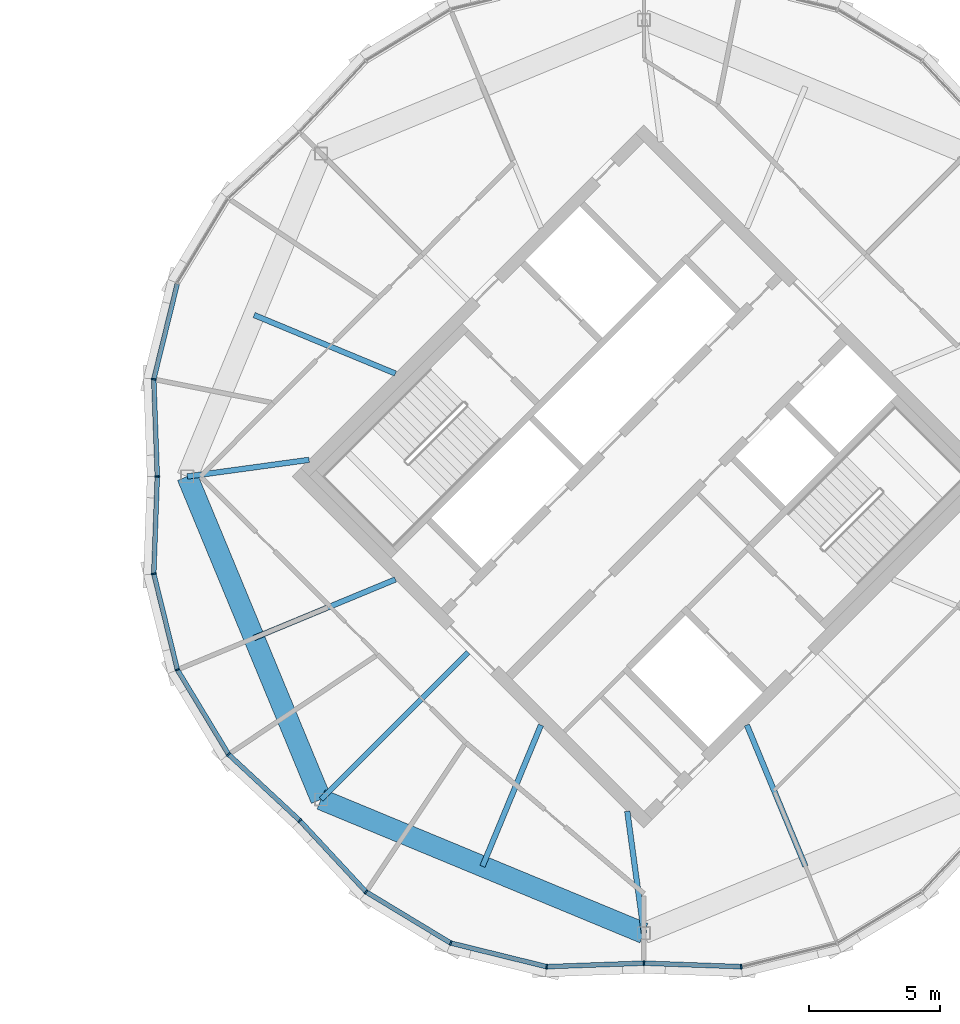
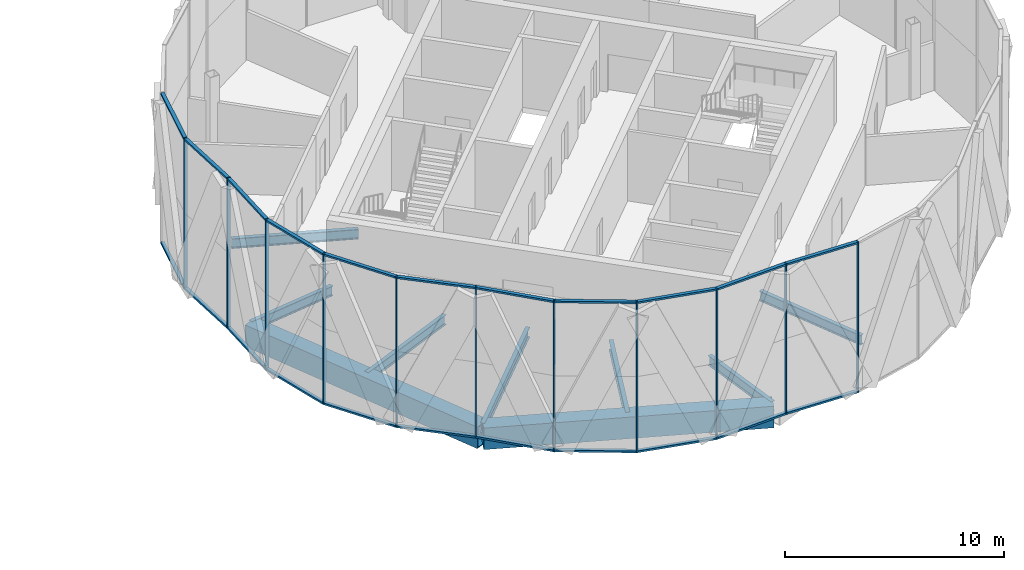
# One storey, part 9 of 24: 33 members, 9 beams, 4 elements without a shape of their own.
"""IFC4 building model written with IfcOpenShell, lengths in metres."""

from ifc_helpers import new_model, si_unit, direction, frame, origin, origin_2d, place, context, subcontext, project, spatial, rectangle, hollow_rectangle, i_section, extrude, material, material_profile, profile_set, type_object, element, aggregate, save


model = new_model("IFC4")

# Units and contexts
model_context = context("Model", 3, precision=1e-05, world=origin(), true_north=direction((0.0, 1.0)))
body_context = subcontext(model_context, "Body", "Model", "MODEL_VIEW")
ifc_project = project(units=[si_unit("LENGTHUNIT", "METRE"), si_unit("AREAUNIT", "SQUARE_METRE"), si_unit("VOLUMEUNIT", "CUBIC_METRE"), si_unit("PLANEANGLEUNIT", "RADIAN"), si_unit("MASSUNIT", "GRAM", prefix="KILO")], contexts=[model_context])

# Site, building, storey
site_placement = place(None, origin())
site = spatial("IfcSite", under=ifc_project, at=site_placement, CompositionType="ELEMENT")
building_placement = place(site_placement, origin())
building = spatial("IfcBuilding", under=site, at=building_placement, Name="Ogive Gate Towers", CompositionType="ELEMENT")
storey_placement = place(building_placement, frame((0.0, 0.0, 277.199951171875)))
storey = spatial("IfcBuildingStorey", under=building, at=storey_placement, Name="L65", CompositionType="ELEMENT", Elevation=277.199951171875)

# Beams
ifc_material_1 = material(Name="Steel SM460", Category="steel")
ifc_material_profile_1 = material_profile(ifc_material_1, hollow_rectangle(XDim=0.800048828125, YDim=1.199951171875, WallThickness=0.050048828125, at=origin_2d()), Name="BX 1200x800x50")
ifc_profile_set_1 = profile_set([ifc_material_profile_1], Name="Steel SM460")
beam_type_1 = type_object("IfcBeamType", Name="Edge girder BX 1200x800x50", PredefinedType="BEAM", material=ifc_profile_set_1)
for number, where, z_axis, x_axis, name in (
    (1, (23.657470703125, -12.342529296875, -0.89990234375), (0.923876732551, -0.382690191996, 0.0), (0.382690191996, 0.923876732551, 0.0), "T2/L65/SBM017"),
    (2, (18.544921875, 0.0, -0.89990234375), (0.382690191996, -0.923876732551, 0.0), (0.923876732551, 0.382690191996, 0.0), "T2/L65/SBM024"),
):
    element("IfcBeam", number, at=place(storey_placement, frame(where, z_axis=z_axis, x_axis=x_axis)), inside=storey, type_object=beam_type_1, Name=name, PredefinedType="BEAM", context=body_context, shape_type="SweptSolid", body=[
        extrude(hollow_rectangle(XDim=0.800048828125, YDim=1.199951171875, WallThickness=0.050048828125, at=origin_2d()), origin(), (0.0, 0.0, 1.0), 13.359619140625),
    ])
ifc_material_2 = material(Name="Steel SM355", Category="steel")
ifc_material_profile_2 = material_profile(ifc_material_2, i_section(OverallWidth=0.2099609375, OverallDepth=0.550048828125, WebThickness=0.010986328125, FlangeThickness=0.01708984375, FilletRadius=0.02392578125, at=origin_2d()), Name="IPE 550")
ifc_profile_set_2 = profile_set([ifc_material_profile_2], Name="Steel SM355")
beam_type_2 = type_object("IfcBeamType", Name="Radial floor beam IPE 550", PredefinedType="BEAM", material=ifc_profile_set_2)
beam_1_placement = place(storey_placement, frame((29.282470703125, -6.717529296875, -0.574951171875), z_axis=(-0.707106781187, -0.707106781187, 0.0), x_axis=(0.707106781187, -0.707106781187, 0.0)))
element("IfcBeam", 3, at=beam_1_placement, inside=storey, type_object=beam_type_2, Name="T2/L65/SBM001", PredefinedType="BEAM", context=body_context, shape_type="SweptSolid", body=[
    extrude(i_section(OverallWidth=0.2099609375, OverallDepth=0.550048828125, WebThickness=0.010986328125, FlangeThickness=0.01708984375, FilletRadius=0.02392578125, at=origin_2d()), origin(), (0.0, 0.0, 1.0), 7.954833984375),
])
beam_2_placement = place(storey_placement, frame((32.06494140625, -9.5, -0.574951171875), z_axis=(-0.382701102209, -0.923872213225, 0.0), x_axis=(0.923872213225, -0.382701102209, 0.0)))
element("IfcBeam", 4, at=beam_2_placement, inside=storey, type_object=beam_type_2, Name="T2/L65/SBM002", PredefinedType="BEAM", context=body_context, shape_type="SweptSolid", body=[
    extrude(i_section(OverallWidth=0.2099609375, OverallDepth=0.550048828125, WebThickness=0.010986328125, FlangeThickness=0.01708984375, FilletRadius=0.02392578125, at=origin_2d()), origin(), (0.0, 0.0, 1.0), 5.843505859375),
])
beam_3_placement = place(storey_placement, frame((35.363525390625, -12.798583984375, -0.574951171875), z_axis=(0.135426145155, -0.99078744401, 0.0), x_axis=(0.99078744401, 0.135426145155, 0.0)))
element("IfcBeam", 5, at=beam_3_placement, inside=storey, type_object=beam_type_2, Name="T2/L65/SBM003", PredefinedType="BEAM", context=body_context, shape_type="SweptSolid", body=[
    extrude(i_section(OverallWidth=0.2099609375, OverallDepth=0.550048828125, WebThickness=0.010986328125, FlangeThickness=0.01708984375, FilletRadius=0.02392578125, at=origin_2d()), origin(), (0.0, 0.0, 1.0), 4.69970703125),
])
for number, where, z_axis, x_axis, name in (
    (6, (39.93505859375, -9.5, -0.574951171875), (0.382701102209, -0.923872213225, 0.0), (0.923872213225, 0.382701102209, 0.0), "T2/L65/SBM004"),
    (7, (26.5, 3.93505859375, -0.574951171875), (-0.923872213225, 0.382701102209, 0.0), (-0.382701102209, -0.923872213225, 0.0), "T2/L65/SBM014"),
):
    element("IfcBeam", number, at=place(storey_placement, frame(where, z_axis=z_axis, x_axis=x_axis)), inside=storey, type_object=beam_type_2, Name=name, PredefinedType="BEAM", context=body_context, shape_type="SweptSolid", body=[
        extrude(i_section(OverallWidth=0.2099609375, OverallDepth=0.550048828125, WebThickness=0.010986328125, FlangeThickness=0.01708984375, FilletRadius=0.02392578125, at=origin_2d()), origin(), (0.0, 0.0, 1.0), 5.843505859375),
    ])
beam_4_placement = place(storey_placement, frame((23.201416015625, 0.636474609375, -0.574951171875), z_axis=(-0.99078744401, -0.135426145155, 0.0), x_axis=(0.135426145155, -0.99078744401, 0.0)))
element("IfcBeam", 8, at=beam_4_placement, inside=storey, type_object=beam_type_2, Name="T2/L65/SBM015", PredefinedType="BEAM", context=body_context, shape_type="SweptSolid", body=[
    extrude(i_section(OverallWidth=0.2099609375, OverallDepth=0.550048828125, WebThickness=0.010986328125, FlangeThickness=0.01708984375, FilletRadius=0.02392578125, at=origin_2d()), origin(), (0.0, 0.0, 1.0), 4.69970703125),
])
beam_5_placement = place(storey_placement, frame((26.5, -3.93505859375, -0.574951171875), z_axis=(-0.923872213225, -0.382701102209, 0.0), x_axis=(0.382701102209, -0.923872213225, 0.0)))
element("IfcBeam", 9, at=beam_5_placement, inside=storey, type_object=beam_type_2, Name="T2/L65/SBM016", PredefinedType="BEAM", context=body_context, shape_type="SweptSolid", body=[
    extrude(i_section(OverallWidth=0.2099609375, OverallDepth=0.550048828125, WebThickness=0.010986328125, FlangeThickness=0.01708984375, FilletRadius=0.02392578125, at=origin_2d()), origin(), (0.0, 0.0, 1.0), 5.843505859375),
])

# Curtain wall, members
ifc_material_3 = material(Name="Pale metal aluminium", Category="aluminium")
curtain_wall_type = type_object("IfcCurtainWallType", Name="Tower unitised wall, high zone", PredefinedType="NOTDEFINED", material=ifc_material_3)
curtain_wall_1_placement = place(storey_placement, origin())
curtain_wall_1 = element("IfcCurtainWall", 10, at=curtain_wall_1_placement, inside=storey, type_object=curtain_wall_type, Name="CW2 T2 ECW04", PredefinedType="NOTDEFINED")
ifc_material_profile_3 = material_profile(ifc_material_3, rectangle(XDim=0.179931640625, YDim=0.06005859375, at=origin_2d()), Name="60 x 180 aluminium box")
ifc_profile_set_3 = profile_set([ifc_material_profile_3], Name="Pale metal aluminium")
member_type_1 = type_object("IfcMemberType", Name="Tower unitised wall, high zone mullion 60 x 180", PredefinedType="MULLION", material=ifc_profile_set_3)
member_1_placement = place(storey_placement, frame((17.2646484375, 3.718017578125, -0.300048828125), z_axis=(0.0, 0.0, 1.0), x_axis=(-0.99474400054, 0.102393229213, 0.0)))
member_1 = element("IfcMember", 11, at=member_1_placement, type_object=member_type_1, Name="CW2 mullion", PredefinedType="MULLION", context=body_context, shape_type="SweptSolid", body=[
    extrude(rectangle(XDim=0.179931640625, YDim=0.06005859375, at=origin_2d()), origin(), (0.0, 0.0, 1.0), 8.400146484375),
])
member_2_placement = place(storey_placement, frame((17.39990234375, 0.00048828125, -0.300048828125), z_axis=(0.0, 0.0, 1.0), x_axis=(-0.999341123963, -0.036294875066, 0.0)))
member_2 = element("IfcMember", 12, at=member_2_placement, type_object=member_type_1, Name="CW2 mullion", PredefinedType="MULLION", context=body_context, shape_type="SweptSolid", body=[
    extrude(rectangle(XDim=0.179931640625, YDim=0.06005859375, at=origin_2d()), origin(), (0.0, 0.0, 1.0), 8.400146484375),
])

curtain_wall_2_placement = place(storey_placement, origin())
curtain_wall_2 = element("IfcCurtainWall", 13, at=curtain_wall_2_placement, inside=storey, type_object=curtain_wall_type, Name="CW2 T2 ECW05", PredefinedType="NOTDEFINED")
member_3_placement = place(storey_placement, frame((17.2646484375, -3.718017578125, -0.300048828125), z_axis=(0.0, 0.0, 1.0), x_axis=(-0.99474400054, -0.102393229213, 0.0)))
member_3 = element("IfcMember", 14, at=member_3_placement, type_object=member_type_1, Name="CW2 mullion", PredefinedType="MULLION", context=body_context, shape_type="SweptSolid", body=[
    extrude(rectangle(XDim=0.179931640625, YDim=0.06005859375, at=origin_2d()), origin(), (0.0, 0.0, 1.0), 8.400146484375),
])
member_4_placement = place(storey_placement, frame((18.16796875, -7.38623046875, -0.300048828125), z_axis=(0.0, 0.0, 1.0), x_axis=(-0.923879532511, -0.382683432365, 0.0)))
member_4 = element("IfcMember", 15, at=member_4_placement, type_object=member_type_1, Name="CW2 mullion", PredefinedType="MULLION", context=body_context, shape_type="SweptSolid", body=[
    extrude(rectangle(XDim=0.179931640625, YDim=0.06005859375, at=origin_2d()), origin(), (0.0, 0.0, 1.0), 8.400146484375),
])
member_5_placement = place(storey_placement, frame((20.123291015625, -10.618896484375, -0.300048828125), z_axis=(0.0, 0.0, 1.0), x_axis=(-0.775782162127, -0.631000821652, 0.0)))
member_5 = element("IfcMember", 16, at=member_5_placement, type_object=member_type_1, Name="CW2 mullion", PredefinedType="MULLION", context=body_context, shape_type="SweptSolid", body=[
    extrude(rectangle(XDim=0.179931640625, YDim=0.06005859375, at=origin_2d()), origin(), (0.0, 0.0, 1.0), 8.400146484375),
])
member_6_placement = place(storey_placement, frame((22.847412109375, -13.152099609375, -0.300048828125), z_axis=(0.0, 0.0, 1.0), x_axis=(-0.680963751951, -0.732317122925, 0.0)))
member_6 = element("IfcMember", 17, at=member_6_placement, type_object=member_type_1, Name="CW2 mullion", PredefinedType="MULLION", context=body_context, shape_type="SweptSolid", body=[
    extrude(rectangle(XDim=0.179931640625, YDim=0.06005859375, at=origin_2d()), origin(), (0.0, 0.0, 1.0), 8.400146484375),
])

curtain_wall_3_placement = place(storey_placement, origin())
curtain_wall_3 = element("IfcCurtainWall", 18, at=curtain_wall_3_placement, inside=storey, type_object=curtain_wall_type, Name="CW2 T2 ECW06", PredefinedType="NOTDEFINED")
member_7_placement = place(storey_placement, frame((25.381103515625, -15.876708984375, -0.300048828125), z_axis=(0.0, 0.0, 1.0), x_axis=(-0.631000821652, -0.775782162127, 0.0)))
member_7 = element("IfcMember", 19, at=member_7_placement, type_object=member_type_1, Name="CW2 mullion", PredefinedType="MULLION", context=body_context, shape_type="SweptSolid", body=[
    extrude(rectangle(XDim=0.179931640625, YDim=0.06005859375, at=origin_2d()), origin(), (0.0, 0.0, 1.0), 8.400146484375),
])
member_8_placement = place(storey_placement, frame((28.61376953125, -17.83203125, -0.300048828125), z_axis=(0.0, 0.0, 1.0), x_axis=(-0.382683432365, -0.923879532511, 0.0)))
member_8 = element("IfcMember", 20, at=member_8_placement, type_object=member_type_1, Name="CW2 mullion", PredefinedType="MULLION", context=body_context, shape_type="SweptSolid", body=[
    extrude(rectangle(XDim=0.179931640625, YDim=0.06005859375, at=origin_2d()), origin(), (0.0, 0.0, 1.0), 8.400146484375),
])
member_9_placement = place(storey_placement, frame((32.281982421875, -18.7353515625, -0.300048828125), z_axis=(0.0, 0.0, 1.0), x_axis=(-0.102393229213, -0.99474400054, 0.0)))
member_9 = element("IfcMember", 21, at=member_9_placement, type_object=member_type_1, Name="CW2 mullion", PredefinedType="MULLION", context=body_context, shape_type="SweptSolid", body=[
    extrude(rectangle(XDim=0.179931640625, YDim=0.06005859375, at=origin_2d()), origin(), (0.0, 0.0, 1.0), 8.400146484375),
])
member_10_placement = place(storey_placement, frame((35.99951171875, -18.60009765625, -0.300048828125), z_axis=(0.0, 0.0, 1.0), x_axis=(0.036294875066, -0.999341123963, 0.0)))
member_10 = element("IfcMember", 22, at=member_10_placement, type_object=member_type_1, Name="CW2 mullion", PredefinedType="MULLION", context=body_context, shape_type="SweptSolid", body=[
    extrude(rectangle(XDim=0.179931640625, YDim=0.06005859375, at=origin_2d()), origin(), (0.0, 0.0, 1.0), 8.400146484375),
])

# Curtain wall, member
curtain_wall_4_placement = place(storey_placement, origin())
curtain_wall_4 = element("IfcCurtainWall", 23, at=curtain_wall_4_placement, inside=storey, type_object=curtain_wall_type, Name="CW2 T2 ECW07", PredefinedType="NOTDEFINED")
member_11_placement = place(storey_placement, frame((39.718017578125, -18.7353515625, -0.300048828125), z_axis=(0.0, 0.0, 1.0), x_axis=(0.102393229213, -0.99474400054, 0.0)))
member_11 = element("IfcMember", 24, at=member_11_placement, type_object=member_type_1, Name="CW2 mullion", PredefinedType="MULLION", context=body_context, shape_type="SweptSolid", body=[
    extrude(rectangle(XDim=0.179931640625, YDim=0.06005859375, at=origin_2d()), origin(), (0.0, 0.0, 1.0), 8.400146484375),
])

# Member
ifc_material_profile_4 = material_profile(ifc_material_3, rectangle(XDim=0.179931640625, YDim=0.10009765625, at=origin_2d()), Name="100 x 180 aluminium box")
ifc_profile_set_4 = profile_set([ifc_material_profile_4], Name="Pale metal aluminium")
member_type_2 = type_object("IfcMemberType", Name="Tower unitised wall, high zone transom 100 x 180", PredefinedType="USERDEFINED", material=ifc_profile_set_4)
member_12_placement = place(storey_placement, frame((18.161376953125, 7.358642578125, 8.050048828125), z_axis=(-0.239091379639, -0.97099707115, 0.0), x_axis=(0.97099707115, -0.239091379639, 0.0)))
member_12 = element("IfcMember", 25, at=member_12_placement, type_object=member_type_2, Name="CW2 transom", ObjectType="TRANSOM", PredefinedType="USERDEFINED", context=body_context, shape_type="SweptSolid", body=[
    extrude(rectangle(XDim=0.179931640625, YDim=0.10009765625, at=origin_2d()), origin(), (0.0, 0.0, 1.0), 3.720947265625),
])

member_13_placement = place(storey_placement, frame((18.161376953125, 7.358642578125, -0.25), z_axis=(-0.239091379639, -0.97099707115, 0.0), x_axis=(0.97099707115, -0.239091379639, 0.0)))
member_13 = element("IfcMember", 26, at=member_13_placement, type_object=member_type_2, Name="CW2 transom", ObjectType="TRANSOM", PredefinedType="USERDEFINED", context=body_context, shape_type="SweptSolid", body=[
    extrude(rectangle(XDim=0.179931640625, YDim=0.10009765625, at=origin_2d()), origin(), (0.0, 0.0, 1.0), 3.720947265625),
])

member_14_placement = place(storey_placement, frame((17.265869140625, 3.689453125, 8.050048828125), z_axis=(0.036271819243, -0.999341961057, 0.0), x_axis=(0.999341961057, 0.036271819243, 0.0)))
member_14 = element("IfcMember", 27, at=member_14_placement, type_object=member_type_2, Name="CW2 transom", ObjectType="TRANSOM", PredefinedType="USERDEFINED", context=body_context, shape_type="SweptSolid", body=[
    extrude(rectangle(XDim=0.179931640625, YDim=0.10009765625, at=origin_2d()), origin(), (0.0, 0.0, 1.0), 3.66162109375),
])

member_15_placement = place(storey_placement, frame((17.265869140625, 3.689453125, -0.25), z_axis=(0.036271819243, -0.999341961057, 0.0), x_axis=(0.999341961057, 0.036271819243, 0.0)))
member_15 = element("IfcMember", 28, at=member_15_placement, type_object=member_type_2, Name="CW2 transom", ObjectType="TRANSOM", PredefinedType="USERDEFINED", context=body_context, shape_type="SweptSolid", body=[
    extrude(rectangle(XDim=0.179931640625, YDim=0.10009765625, at=origin_2d()), origin(), (0.0, 0.0, 1.0), 3.66162109375),
])

aggregate(curtain_wall_1, [member_1, member_12, member_13, member_2, member_14, member_15])

member_16_placement = place(storey_placement, frame((17.398681640625, -0.0302734375, 8.050048828125), z_axis=(-0.036271819243, -0.999341961057, 0.0), x_axis=(0.999341961057, -0.036271819243, 0.0)))
member_16 = element("IfcMember", 29, at=member_16_placement, type_object=member_type_2, Name="CW2 transom", ObjectType="TRANSOM", PredefinedType="USERDEFINED", context=body_context, shape_type="SweptSolid", body=[
    extrude(rectangle(XDim=0.179931640625, YDim=0.10009765625, at=origin_2d()), origin(), (0.0, 0.0, 1.0), 3.66162109375),
])

member_17_placement = place(storey_placement, frame((17.398681640625, -0.0302734375, -0.25), z_axis=(-0.036271819243, -0.999341961057, 0.0), x_axis=(0.999341961057, -0.036271819243, 0.0)))
member_17 = element("IfcMember", 30, at=member_17_placement, type_object=member_type_2, Name="CW2 transom", ObjectType="TRANSOM", PredefinedType="USERDEFINED", context=body_context, shape_type="SweptSolid", body=[
    extrude(rectangle(XDim=0.179931640625, YDim=0.10009765625, at=origin_2d()), origin(), (0.0, 0.0, 1.0), 3.66162109375),
])

member_18_placement = place(storey_placement, frame((17.271728515625, -3.74560546875, 8.050048828125), z_axis=(0.239091379639, -0.97099707115, 0.0), x_axis=(0.97099707115, 0.239091379639, 0.0)))
member_18 = element("IfcMember", 31, at=member_18_placement, type_object=member_type_2, Name="CW2 transom", ObjectType="TRANSOM", PredefinedType="USERDEFINED", context=body_context, shape_type="SweptSolid", body=[
    extrude(rectangle(XDim=0.179931640625, YDim=0.10009765625, at=origin_2d()), origin(), (0.0, 0.0, 1.0), 3.720947265625),
])

member_19_placement = place(storey_placement, frame((17.271728515625, -3.74560546875, -0.25), z_axis=(0.239091379639, -0.97099707115, 0.0), x_axis=(0.97099707115, 0.239091379639, 0.0)))
member_19 = element("IfcMember", 32, at=member_19_placement, type_object=member_type_2, Name="CW2 transom", ObjectType="TRANSOM", PredefinedType="USERDEFINED", context=body_context, shape_type="SweptSolid", body=[
    extrude(rectangle(XDim=0.179931640625, YDim=0.10009765625, at=origin_2d()), origin(), (0.0, 0.0, 1.0), 3.720947265625),
])

member_20_placement = place(storey_placement, frame((18.182861328125, -7.41064453125, 8.050048828125), z_axis=(0.51753219803, -0.855663733018, 0.0), x_axis=(0.855663733018, 0.51753219803, 0.0)))
member_20 = element("IfcMember", 33, at=member_20_placement, type_object=member_type_2, Name="CW2 transom", ObjectType="TRANSOM", PredefinedType="USERDEFINED", context=body_context, shape_type="SweptSolid", body=[
    extrude(rectangle(XDim=0.179931640625, YDim=0.10009765625, at=origin_2d()), origin(), (0.0, 0.0, 1.0), 3.720703125),
])

member_21_placement = place(storey_placement, frame((18.182861328125, -7.41064453125, -0.25), z_axis=(0.51753219803, -0.855663733018, 0.0), x_axis=(0.855663733018, 0.51753219803, 0.0)))
member_21 = element("IfcMember", 34, at=member_21_placement, type_object=member_type_2, Name="CW2 transom", ObjectType="TRANSOM", PredefinedType="USERDEFINED", context=body_context, shape_type="SweptSolid", body=[
    extrude(rectangle(XDim=0.179931640625, YDim=0.10009765625, at=origin_2d()), origin(), (0.0, 0.0, 1.0), 3.720703125),
])

member_22_placement = place(storey_placement, frame((20.144287109375, -10.63818359375, 8.050048828125), z_axis=(0.732280303721, -0.681003345647, 0.0), x_axis=(0.681003345647, 0.732280303721, 0.0)))
member_22 = element("IfcMember", 35, at=member_22_placement, type_object=member_type_2, Name="CW2 transom", ObjectType="TRANSOM", PredefinedType="USERDEFINED", context=body_context, shape_type="SweptSolid", body=[
    extrude(rectangle(XDim=0.179931640625, YDim=0.10009765625, at=origin_2d()), origin(), (0.0, 0.0, 1.0), 3.661376953125),
])

member_23_placement = place(storey_placement, frame((20.144287109375, -10.63818359375, -0.25), z_axis=(0.732280303721, -0.681003345647, 0.0), x_axis=(0.681003345647, 0.732280303721, 0.0)))
member_23 = element("IfcMember", 36, at=member_23_placement, type_object=member_type_2, Name="CW2 transom", ObjectType="TRANSOM", PredefinedType="USERDEFINED", context=body_context, shape_type="SweptSolid", body=[
    extrude(rectangle(XDim=0.179931640625, YDim=0.10009765625, at=origin_2d()), origin(), (0.0, 0.0, 1.0), 3.661376953125),
])

aggregate(curtain_wall_2, [member_3, member_16, member_17, member_4, member_18, member_19, member_5, member_20, member_21, member_6, member_22, member_23])

member_24_placement = place(storey_placement, frame((22.868408203125, -13.174560546875, 8.050048828125), z_axis=(0.681003345647, -0.732280303721, 0.0), x_axis=(0.732280303721, 0.681003345647, 0.0)))
member_24 = element("IfcMember", 37, at=member_24_placement, type_object=member_type_2, Name="CW2 transom", ObjectType="TRANSOM", PredefinedType="USERDEFINED", context=body_context, shape_type="SweptSolid", body=[
    extrude(rectangle(XDim=0.179931640625, YDim=0.10009765625, at=origin_2d()), origin(), (0.0, 0.0, 1.0), 3.661376953125),
])

member_25_placement = place(storey_placement, frame((22.868408203125, -13.174560546875, -0.25), z_axis=(0.681003345647, -0.732280303721, 0.0), x_axis=(0.732280303721, 0.681003345647, 0.0)))
member_25 = element("IfcMember", 38, at=member_25_placement, type_object=member_type_2, Name="CW2 transom", ObjectType="TRANSOM", PredefinedType="USERDEFINED", context=body_context, shape_type="SweptSolid", body=[
    extrude(rectangle(XDim=0.179931640625, YDim=0.10009765625, at=origin_2d()), origin(), (0.0, 0.0, 1.0), 3.661376953125),
])

member_26_placement = place(storey_placement, frame((25.40576171875, -15.8916015625, 8.050048828125), z_axis=(0.855663733018, -0.51753219803, 0.0), x_axis=(0.51753219803, 0.855663733018, 0.0)))
member_26 = element("IfcMember", 39, at=member_26_placement, type_object=member_type_2, Name="CW2 transom", ObjectType="TRANSOM", PredefinedType="USERDEFINED", context=body_context, shape_type="SweptSolid", body=[
    extrude(rectangle(XDim=0.179931640625, YDim=0.10009765625, at=origin_2d()), origin(), (0.0, 0.0, 1.0), 3.720703125),
])

member_27_placement = place(storey_placement, frame((25.40576171875, -15.8916015625, -0.25), z_axis=(0.855663733018, -0.51753219803, 0.0), x_axis=(0.51753219803, 0.855663733018, 0.0)))
member_27 = element("IfcMember", 40, at=member_27_placement, type_object=member_type_2, Name="CW2 transom", ObjectType="TRANSOM", PredefinedType="USERDEFINED", context=body_context, shape_type="SweptSolid", body=[
    extrude(rectangle(XDim=0.179931640625, YDim=0.10009765625, at=origin_2d()), origin(), (0.0, 0.0, 1.0), 3.720703125),
])

member_28_placement = place(storey_placement, frame((28.641357421875, -17.838623046875, 8.050048828125), z_axis=(0.97099707115, -0.239091379639, 0.0), x_axis=(0.239091379639, 0.97099707115, 0.0)))
member_28 = element("IfcMember", 41, at=member_28_placement, type_object=member_type_2, Name="CW2 transom", ObjectType="TRANSOM", PredefinedType="USERDEFINED", context=body_context, shape_type="SweptSolid", body=[
    extrude(rectangle(XDim=0.179931640625, YDim=0.10009765625, at=origin_2d()), origin(), (0.0, 0.0, 1.0), 3.720947265625),
])

member_29_placement = place(storey_placement, frame((28.641357421875, -17.838623046875, -0.25), z_axis=(0.97099707115, -0.239091379639, 0.0), x_axis=(0.239091379639, 0.97099707115, 0.0)))
member_29 = element("IfcMember", 42, at=member_29_placement, type_object=member_type_2, Name="CW2 transom", ObjectType="TRANSOM", PredefinedType="USERDEFINED", context=body_context, shape_type="SweptSolid", body=[
    extrude(rectangle(XDim=0.179931640625, YDim=0.10009765625, at=origin_2d()), origin(), (0.0, 0.0, 1.0), 3.720947265625),
])

member_30_placement = place(storey_placement, frame((32.310546875, -18.734130859375, 8.050048828125), z_axis=(0.999341961057, 0.036271819243, 0.0), x_axis=(-0.036271819243, 0.999341961057, 0.0)))
member_30 = element("IfcMember", 43, at=member_30_placement, type_object=member_type_2, Name="CW2 transom", ObjectType="TRANSOM", PredefinedType="USERDEFINED", context=body_context, shape_type="SweptSolid", body=[
    extrude(rectangle(XDim=0.179931640625, YDim=0.10009765625, at=origin_2d()), origin(), (0.0, 0.0, 1.0), 3.66162109375),
])

member_31_placement = place(storey_placement, frame((32.310546875, -18.734130859375, -0.25), z_axis=(0.999341961057, 0.036271819243, 0.0), x_axis=(-0.036271819243, 0.999341961057, 0.0)))
member_31 = element("IfcMember", 44, at=member_31_placement, type_object=member_type_2, Name="CW2 transom", ObjectType="TRANSOM", PredefinedType="USERDEFINED", context=body_context, shape_type="SweptSolid", body=[
    extrude(rectangle(XDim=0.179931640625, YDim=0.10009765625, at=origin_2d()), origin(), (0.0, 0.0, 1.0), 3.66162109375),
])

aggregate(curtain_wall_3, [member_7, member_24, member_25, member_8, member_26, member_27, member_9, member_28, member_29, member_10, member_30, member_31])

member_32_placement = place(storey_placement, frame((36.0302734375, -18.601318359375, 8.050048828125), z_axis=(0.999341961057, -0.036271819243, 0.0), x_axis=(0.036271819243, 0.999341961057, 0.0)))
member_32 = element("IfcMember", 45, at=member_32_placement, type_object=member_type_2, Name="CW2 transom", ObjectType="TRANSOM", PredefinedType="USERDEFINED", context=body_context, shape_type="SweptSolid", body=[
    extrude(rectangle(XDim=0.179931640625, YDim=0.10009765625, at=origin_2d()), origin(), (0.0, 0.0, 1.0), 3.66162109375),
])

member_33_placement = place(storey_placement, frame((36.0302734375, -18.601318359375, -0.25), z_axis=(0.999341961057, -0.036271819243, 0.0), x_axis=(0.036271819243, 0.999341961057, 0.0)))
member_33 = element("IfcMember", 46, at=member_33_placement, type_object=member_type_2, Name="CW2 transom", ObjectType="TRANSOM", PredefinedType="USERDEFINED", context=body_context, shape_type="SweptSolid", body=[
    extrude(rectangle(XDim=0.179931640625, YDim=0.10009765625, at=origin_2d()), origin(), (0.0, 0.0, 1.0), 3.66162109375),
])

aggregate(curtain_wall_4, [member_11, member_32, member_33])

save(model, "model.ifc")
